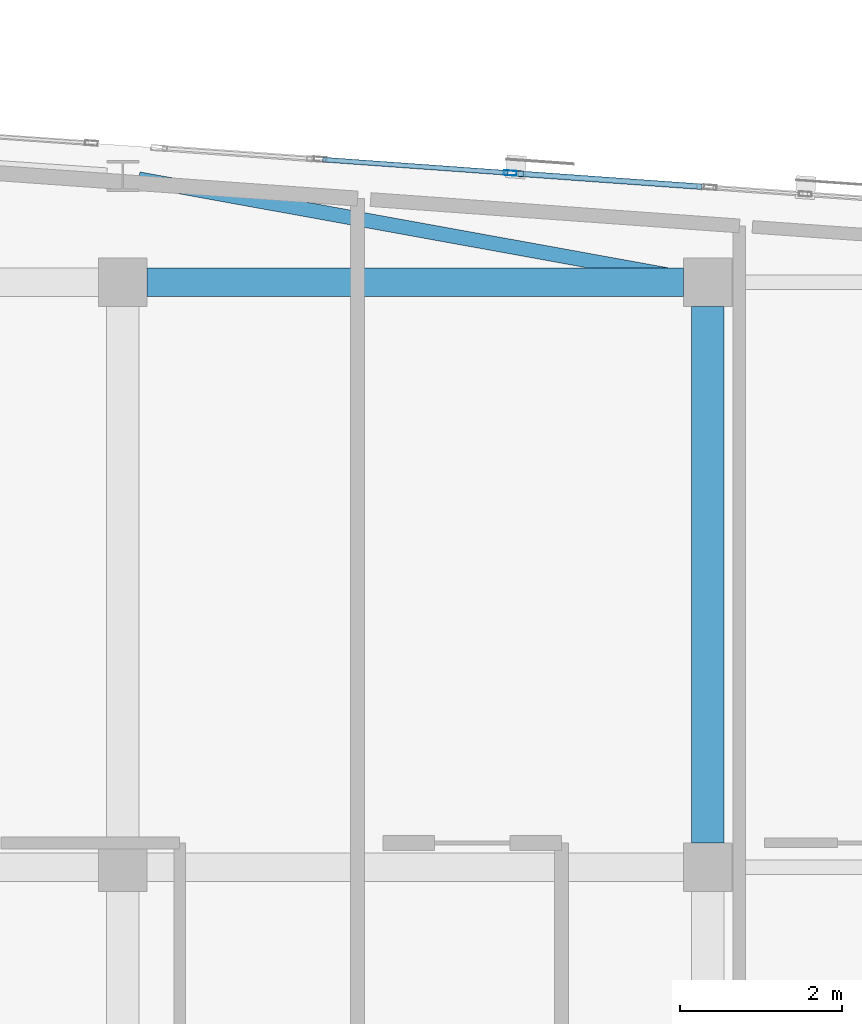
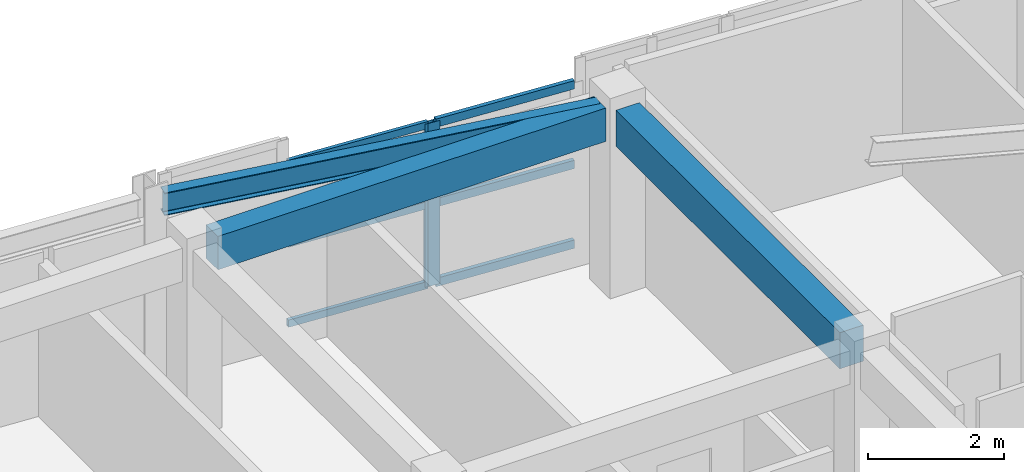
# One storey, part 25 of 45: 8 members, 3 beams, 2 elements without a shape of their own.
"""IFC4 building model written with IfcOpenShell, lengths in metres."""

from ifc_helpers import new_model, si_unit, direction, frame, origin, origin_2d, place, context, subcontext, project, spatial, rectangle, hollow_rectangle, i_section, extrude, material, layer, layer_set, material_profile, profile_set, type_object, element, aggregate, save


model = new_model("IFC4")

# Units and contexts
model_context = context("Model", 3, precision=1e-05, world=origin(), true_north=direction((0.0, 1.0)))
body_context = subcontext(model_context, "Body", "Model", "MODEL_VIEW")
ifc_project = project(units=[si_unit("LENGTHUNIT", "METRE"), si_unit("AREAUNIT", "SQUARE_METRE"), si_unit("VOLUMEUNIT", "CUBIC_METRE"), si_unit("PLANEANGLEUNIT", "RADIAN"), si_unit("MASSUNIT", "GRAM", prefix="KILO")], contexts=[model_context])

# Site, building, storey
site_placement = place(None, origin())
site = spatial("IfcSite", under=ifc_project, at=site_placement, CompositionType="ELEMENT")
building_placement = place(site_placement, origin())
building = spatial("IfcBuilding", under=site, at=building_placement, Name="Carrowvane Square Congress Hotel", CompositionType="ELEMENT")
storey_placement = place(building_placement, frame((0.0, 0.0, 33.60009765625)))
storey = spatial("IfcBuildingStorey", under=building, at=storey_placement, Name="L08", CompositionType="ELEMENT", Elevation=33.60009765625)

# Beams
ifc_material_1 = material(Name="Concrete C35/45", Category="concrete")
ifc_material_profile_1 = material_profile(ifc_material_1, rectangle(XDim=0.35009765625, YDim=0.60009765625, at=origin_2d()), Name="RC 350x600")
ifc_profile_set_1 = profile_set([ifc_material_profile_1], Name="Concrete C35/45")
beam_type_1 = type_object("IfcBeamType", Name="BM-RC-350x600", PredefinedType="BEAM", material=ifc_profile_set_1)
beam_1_placement = place(storey_placement, frame((134.300048828125, 113.39990234375, 3.059814453125), z_axis=(1.0, 0.0, 0.0), x_axis=(0.0, 1.0, 0.0)))
element("IfcBeam", 1, at=beam_1_placement, inside=storey, type_object=beam_type_1, Name="L09 girder R/18-19", PredefinedType="BEAM", context=body_context, shape_type="SweptSolid", body=[
    extrude(rectangle(XDim=0.35009765625, YDim=0.60009765625, at=origin_2d()), origin(), (0.0, 0.0, 1.0), 6.599853515625),
])
ifc_material_2 = material(Name="Concrete C35/45", Category="concrete")
ifc_material_profile_2 = material_profile(ifc_material_2, rectangle(XDim=0.39990234375, YDim=0.64990234375, at=origin_2d()), Name="RC 400x650")
ifc_profile_set_2 = profile_set([ifc_material_profile_2], Name="Concrete C35/45")
beam_type_2 = type_object("IfcBeamType", Name="BM-RC-400x650", PredefinedType="BEAM", material=ifc_profile_set_2)
beam_2_placement = place(storey_placement, frame((141.199951171875, 106.5, 3.034912109375), z_axis=(0.0, 1.0, 0.0), x_axis=(-1.0, 0.0, 0.0)))
element("IfcBeam", 2, at=beam_2_placement, inside=storey, type_object=beam_type_2, Name="L09 girder 19/Q-R", PredefinedType="BEAM", context=body_context, shape_type="SweptSolid", body=[
    extrude(rectangle(XDim=0.39990234375, YDim=0.64990234375, at=origin_2d()), origin(), (0.0, 0.0, 1.0), 6.60009765625),
])
ifc_material_3 = material(Name="Steel S355", Category="steel")
ifc_material_profile_3 = material_profile(ifc_material_3, i_section(OverallWidth=0.1787109375, OverallDepth=0.409423828125, WebThickness=0.0087890625, FlangeThickness=0.014404296875, FilletRadius=0.01025390625, at=origin_2d()), Name="UKB 406x178x67")
ifc_profile_set_3 = profile_set([ifc_material_profile_3], Name="Steel S355")
beam_type_3 = type_object("IfcBeamType", Name="BM-ST-UKB406", PredefinedType="BEAM", material=ifc_profile_set_3)
beam_3_placement = place(storey_placement, frame((134.1943359375, 114.670654296875, 3.1552734375), z_axis=(0.983948285013, -0.178453838346, 0.0), x_axis=(0.178453838346, 0.983948285013, 0.0)))
element("IfcBeam", 3, at=beam_3_placement, inside=storey, type_object=beam_type_3, Name="L09 curved north spandrel", PredefinedType="BEAM", context=body_context, shape_type="SweptSolid", body=[
    extrude(i_section(OverallWidth=0.1787109375, OverallDepth=0.409423828125, WebThickness=0.0087890625, FlangeThickness=0.014404296875, FilletRadius=0.01025390625, at=origin_2d()), origin(), (0.0, 0.0, 1.0), 6.81982421875),
])

# Curtain wall, member
ifc_material_4 = material(Name="Anodised aluminium", Category="aluminium")
ifc_layer_1 = layer(ifc_material_4, 0.18603515625)
ifc_layer_set_1 = layer_set([ifc_layer_1], Name="Anodised aluminium")
curtain_wall_type_1 = type_object("IfcCurtainWallType", Name="CW-SYS-3", PredefinedType="NOTDEFINED", material=ifc_layer_set_1)
curtain_wall_1_placement = place(storey_placement, origin())
curtain_wall_1 = element("IfcCurtainWall", 4, at=curtain_wall_1_placement, inside=storey, type_object=curtain_wall_type_1, Name="L08 unitised curtain wall 498", PredefinedType="NOTDEFINED")
ifc_material_5 = material(Name="Anodised aluminium", Category="aluminium")
ifc_material_profile_4 = material_profile(ifc_material_5, hollow_rectangle(XDim=0.06005859375, YDim=0.159912109375, WallThickness=0.00390625, at=origin_2d()), Name="CW-ML 60x160x4")
ifc_profile_set_4 = profile_set([ifc_material_profile_4], Name="Anodised aluminium")
member_type_1 = type_object("IfcMemberType", Name="CW-MUL-1", PredefinedType="MULLION", material=ifc_profile_set_4)
member_1_placement = place(storey_placement, frame((138.77001953125, 114.745361328125, 0.0), z_axis=(0.0, 0.0, 1.0), x_axis=(0.071531759512, 0.997438322595, 0.0)))
member_1 = element("IfcMember", 5, at=member_1_placement, type_object=member_type_1, Name="CW-3 mullion 2", PredefinedType="MULLION", context=body_context, shape_type="SweptSolid", body=[
    extrude(hollow_rectangle(XDim=0.06005859375, YDim=0.159912109375, WallThickness=0.00390625, at=origin_2d()), origin(), (0.0, 0.0, 1.0), 2.935546875),
])

ifc_material_6 = material(Name="Anodised aluminium", Category="aluminium")
ifc_layer_2 = layer(ifc_material_6, 0.197998046875)
ifc_layer_set_2 = layer_set([ifc_layer_2], Name="Anodised aluminium")
curtain_wall_type_2 = type_object("IfcCurtainWallType", Name="CW-SYS-4", PredefinedType="NOTDEFINED", material=ifc_layer_set_2)
curtain_wall_2_placement = place(storey_placement, origin())
curtain_wall_2 = element("IfcCurtainWall", 6, at=curtain_wall_2_placement, inside=storey, type_object=curtain_wall_type_2, Name="L08 unitised curtain wall 499", PredefinedType="NOTDEFINED")
ifc_material_7 = material(Name="Anodised aluminium", Category="aluminium")
ifc_material_profile_5 = material_profile(ifc_material_7, hollow_rectangle(XDim=0.070068359375, YDim=0.199951171875, WallThickness=0.0048828125, at=origin_2d()), Name="CW-ML 70x200x5")
ifc_profile_set_5 = profile_set([ifc_material_profile_5], Name="Anodised aluminium")
member_type_2 = type_object("IfcMemberType", Name="CW-MUL-2", PredefinedType="MULLION", material=ifc_profile_set_5)
member_2_placement = place(storey_placement, frame((138.8349609375, 114.74072265625, 0.0), z_axis=(0.0, 0.0, 1.0), x_axis=(0.071422490945, 0.997446152826, 0.0)))
member_2 = element("IfcMember", 7, at=member_2_placement, type_object=member_type_2, Name="CW-4 mullion 1", PredefinedType="MULLION", context=body_context, shape_type="SweptSolid", body=[
    extrude(hollow_rectangle(XDim=0.070068359375, YDim=0.199951171875, WallThickness=0.0048828125, at=origin_2d()), origin(), (0.0, 0.0, 1.0), 2.935546875),
])

# Member
ifc_material_8 = material(Name="Anodised aluminium", Category="aluminium")
ifc_material_profile_6 = material_profile(ifc_material_8, hollow_rectangle(XDim=0.06005859375, YDim=0.1298828125, WallThickness=0.00390625, at=origin_2d()), Name="CW-TR 60x130x4")
ifc_profile_set_6 = profile_set([ifc_material_profile_6], Name="Anodised aluminium")
member_type_3 = type_object("IfcMemberType", Name="CW-TRN-1", PredefinedType="USERDEFINED", material=ifc_profile_set_6)
member_3_placement = place(storey_placement, frame((136.4599609375, 114.910888671875, 0.02978515625), z_axis=(0.997436969988, -0.071550617761, 0.0), x_axis=(0.071550617761, 0.997436969988, 0.0)))
member_3 = element("IfcMember", 8, at=member_3_placement, type_object=member_type_3, Name="CW-3 transom 1.1", ObjectType="TRANSOM", PredefinedType="USERDEFINED", context=body_context, shape_type="SweptSolid", body=[
    extrude(hollow_rectangle(XDim=0.06005859375, YDim=0.1298828125, WallThickness=0.00390625, at=origin_2d()), origin(), (0.0, 0.0, 1.0), 2.2861328125),
])

member_4_placement = place(storey_placement, frame((136.4599609375, 114.910888671875, 1.4677734375), z_axis=(0.997436969988, -0.071550617761, 0.0), x_axis=(0.071550617761, 0.997436969988, 0.0)))
member_4 = element("IfcMember", 9, at=member_4_placement, type_object=member_type_3, Name="CW-3 transom 1.2", ObjectType="TRANSOM", PredefinedType="USERDEFINED", context=body_context, shape_type="SweptSolid", body=[
    extrude(hollow_rectangle(XDim=0.06005859375, YDim=0.1298828125, WallThickness=0.00390625, at=origin_2d()), origin(), (0.0, 0.0, 1.0), 2.2861328125),
])

member_5_placement = place(storey_placement, frame((136.4599609375, 114.910888671875, 2.905517578125), z_axis=(0.997436969988, -0.071550617761, 0.0), x_axis=(0.071550617761, 0.997436969988, 0.0)))
member_5 = element("IfcMember", 10, at=member_5_placement, type_object=member_type_3, Name="CW-3 transom 1.3", ObjectType="TRANSOM", PredefinedType="USERDEFINED", context=body_context, shape_type="SweptSolid", body=[
    extrude(hollow_rectangle(XDim=0.06005859375, YDim=0.1298828125, WallThickness=0.00390625, at=origin_2d()), origin(), (0.0, 0.0, 1.0), 2.2861328125),
])

aggregate(curtain_wall_1, [member_1, member_3, member_4, member_5])

ifc_material_9 = material(Name="Anodised aluminium", Category="aluminium")
ifc_material_profile_7 = material_profile(ifc_material_9, hollow_rectangle(XDim=0.070068359375, YDim=0.14990234375, WallThickness=0.0048828125, at=origin_2d()), Name="CW-TR 70x150x5")
ifc_profile_set_7 = profile_set([ifc_material_profile_7], Name="Anodised aluminium")
member_type_4 = type_object("IfcMemberType", Name="CW-TRN-2", PredefinedType="USERDEFINED", material=ifc_profile_set_7)
member_6_placement = place(storey_placement, frame((138.869873046875, 114.738037109375, 0.034912109375), z_axis=(0.997445557369, -0.071430806279, 0.0), x_axis=(0.071430806279, 0.997445557369, 0.0)))
member_6 = element("IfcMember", 11, at=member_6_placement, type_object=member_type_4, Name="CW-4 transom 1.1", ObjectType="TRANSOM", PredefinedType="USERDEFINED", context=body_context, shape_type="SweptSolid", body=[
    extrude(hollow_rectangle(XDim=0.070068359375, YDim=0.14990234375, WallThickness=0.0048828125, at=origin_2d()), origin(), (0.0, 0.0, 1.0), 2.26611328125),
])

member_7_placement = place(storey_placement, frame((138.869873046875, 114.738037109375, 1.4677734375), z_axis=(0.997445557369, -0.071430806279, 0.0), x_axis=(0.071430806279, 0.997445557369, 0.0)))
member_7 = element("IfcMember", 12, at=member_7_placement, type_object=member_type_4, Name="CW-4 transom 1.2", ObjectType="TRANSOM", PredefinedType="USERDEFINED", context=body_context, shape_type="SweptSolid", body=[
    extrude(hollow_rectangle(XDim=0.070068359375, YDim=0.14990234375, WallThickness=0.0048828125, at=origin_2d()), origin(), (0.0, 0.0, 1.0), 2.26611328125),
])

member_8_placement = place(storey_placement, frame((138.869873046875, 114.738037109375, 2.900390625), z_axis=(0.997445557369, -0.071430806279, 0.0), x_axis=(0.071430806279, 0.997445557369, 0.0)))
member_8 = element("IfcMember", 13, at=member_8_placement, type_object=member_type_4, Name="CW-4 transom 1.3", ObjectType="TRANSOM", PredefinedType="USERDEFINED", context=body_context, shape_type="SweptSolid", body=[
    extrude(hollow_rectangle(XDim=0.070068359375, YDim=0.14990234375, WallThickness=0.0048828125, at=origin_2d()), origin(), (0.0, 0.0, 1.0), 2.26611328125),
])

aggregate(curtain_wall_2, [member_2, member_6, member_7, member_8])

save(model, "model.ifc")
